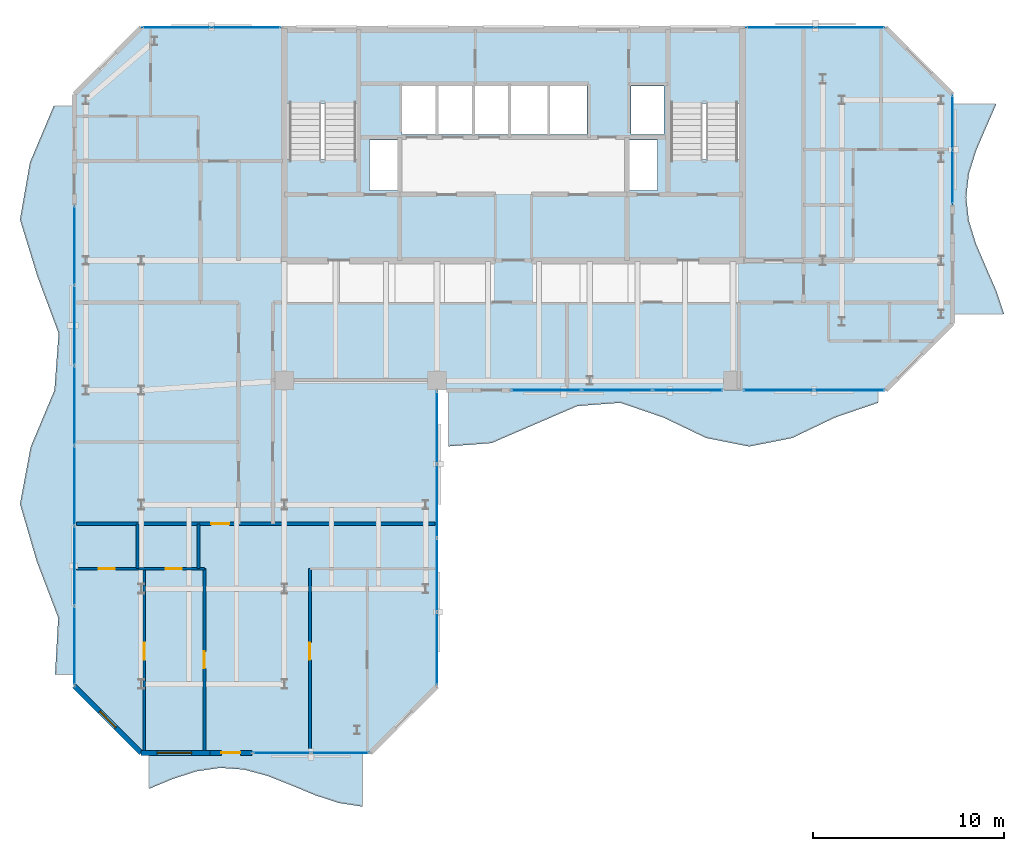
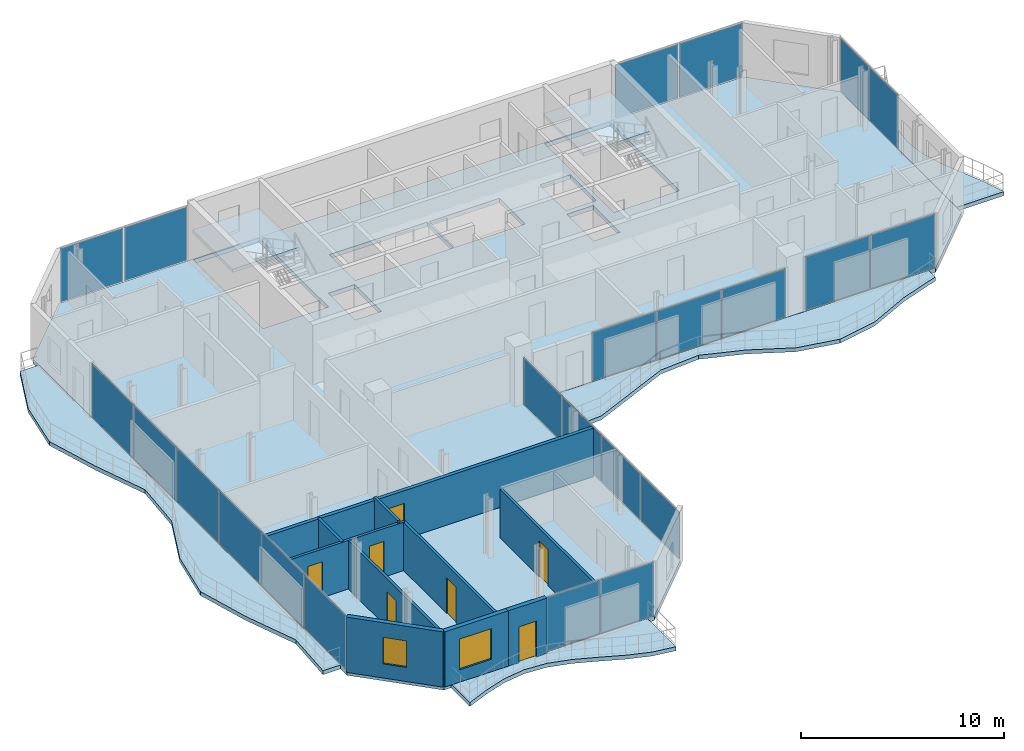
# One storey, part 17 of 23: 23 plates, 10 walls, 7 doors, 7 slabs, 2 windows, 9 openings, 10 elements without a shape of their own.
"""IFC4 building model written with IfcOpenShell, lengths in metres."""

from ifc_helpers import new_model, si_unit, direction, frame, frame_2d, origin, origin_2d, place, context, subcontext, project, spatial, polyline, rectangle, outline, extrude, material, layer, layer_set, type_object, element, fill, aggregate, save


model = new_model("IFC4")

# Units and contexts
model_context = context("Model", 3, precision=1e-05, world=origin(), true_north=direction((0.0, 1.0)))
body_context = subcontext(model_context, "Body", "Model", "MODEL_VIEW")
ifc_project = project(units=[si_unit("LENGTHUNIT", "METRE"), si_unit("AREAUNIT", "SQUARE_METRE"), si_unit("VOLUMEUNIT", "CUBIC_METRE"), si_unit("PLANEANGLEUNIT", "RADIAN"), si_unit("MASSUNIT", "GRAM", prefix="KILO")], contexts=[model_context])

# Site, building, storey
site_placement = place(None, origin())
site = spatial("IfcSite", under=ifc_project, at=site_placement, CompositionType="ELEMENT")
building_placement = place(site_placement, origin())
building = spatial("IfcBuilding", under=site, at=building_placement, Name="Catumbela Crestline Tower", CompositionType="ELEMENT")
storey_placement = place(building_placement, frame((0.0, 0.0, 197.4)))
storey = spatial("IfcBuildingStorey", under=building, at=storey_placement, Name="L51", CompositionType="ELEMENT", Elevation=197.4)

# Curtain wall, plates
ifc_material_1 = material(Name="Aluminium alloy AW-6060-T66", Category="aluminium")
ifc_layer_1 = layer(ifc_material_1, 0.18, Name="Aluminium alloy AW-6060-T66")
ifc_layer_set_1 = layer_set([ifc_layer_1], Name="Aluminium alloy AW-6060-T66")
curtain_wall_type = type_object("IfcCurtainWallType", Name="CWU-Z3", PredefinedType="USERDEFINED", material=ifc_layer_set_1)
curtain_wall_1_placement = place(storey_placement, origin())
curtain_wall_1 = element("IfcCurtainWall", 1, at=curtain_wall_1_placement, inside=storey, type_object=curtain_wall_type, Name="L51 Unitised Curtain Wall CW-L51-E0S2", ObjectType="UNITISED", PredefinedType="USERDEFINED")
ifc_material_2 = material(Name="Low-E laminated solar-control double glazing", Category="glass")
ifc_layer_2 = layer(ifc_material_2, 0.036, Name="Low-E laminated solar-control double glazing")
ifc_layer_set_2 = layer_set([ifc_layer_2], Name="Low-E laminated solar-control double glazing")
plate_type = type_object("IfcPlateType", Name="PNL-GLZ-Z3", PredefinedType="CURTAIN_PANEL", material=ifc_layer_set_2)
plate_1_placement = place(storey_placement, frame((15.8662, 5.0, 0.06), z_axis=(0.0, 0.0, 1.0), x_axis=(1.0, 0.0, 0.0)))
plate_1 = element("IfcPlate", 2, at=plate_1_placement, type_object=plate_type, Name="CWU-Z3 panel 1.1", PredefinedType="CURTAIN_PANEL", context=body_context, shape_type="SweptSolid", body=[
    extrude(rectangle(XDim=3.0025, YDim=0.034, at=origin_2d()), origin(), (0.0, 0.0, 1.0), 3.21),
])
plate_2_placement = place(storey_placement, frame((18.9338, 5.0, 0.06), z_axis=(0.0, 0.0, 1.0), x_axis=(1.0, 0.0, 0.0)))
plate_2 = element("IfcPlate", 3, at=plate_2_placement, type_object=plate_type, Name="CWU-Z3 panel 2.1", PredefinedType="CURTAIN_PANEL", context=body_context, shape_type="SweptSolid", body=[
    extrude(rectangle(XDim=3.0025, YDim=0.034, at=origin_2d()), origin(), (0.0, 0.0, 1.0), 3.21),
])
aggregate(curtain_wall_1, [plate_1, plate_2])

curtain_wall_2_placement = place(storey_placement, origin())
curtain_wall_2 = element("IfcCurtainWall", 4, at=curtain_wall_2_placement, inside=storey, type_object=curtain_wall_type, Name="L51 Unitised Curtain Wall CW-L51-E2S1", ObjectType="UNITISED", PredefinedType="USERDEFINED")
plate_3_placement = place(storey_placement, frame((24.0, 10.4538, 0.06), z_axis=(0.0, 0.0, 1.0), x_axis=(0.0, 1.0, 0.0)))
plate_3 = element("IfcPlate", 5, at=plate_3_placement, type_object=plate_type, Name="CWU-Z3 panel 1.1", PredefinedType="CURTAIN_PANEL", context=body_context, shape_type="SweptSolid", body=[
    extrude(rectangle(XDim=3.7775, YDim=0.034, at=origin_2d()), origin(), (0.0, 0.0, 1.0), 2.8),
])
plate_4_placement = place(storey_placement, frame((24.0, 14.3125, 0.06), z_axis=(0.0, 0.0, 1.0), x_axis=(0.0, 1.0, 0.0)))
plate_4 = element("IfcPlate", 6, at=plate_4_placement, type_object=plate_type, Name="CWU-Z3 panel 2.1", PredefinedType="CURTAIN_PANEL", context=body_context, shape_type="SweptSolid", body=[
    extrude(rectangle(XDim=3.81, YDim=0.034, at=origin_2d()), origin(), (0.0, 0.0, 1.0), 2.8),
])
plate_5_placement = place(storey_placement, frame((24.0, 18.1875, 0.06), z_axis=(0.0, 0.0, 1.0), x_axis=(0.0, 1.0, 0.0)))
plate_5 = element("IfcPlate", 7, at=plate_5_placement, type_object=plate_type, Name="CWU-Z3 panel 3.1", PredefinedType="CURTAIN_PANEL", context=body_context, shape_type="SweptSolid", body=[
    extrude(rectangle(XDim=3.81, YDim=0.034, at=origin_2d()), origin(), (0.0, 0.0, 1.0), 2.8),
])
plate_6_placement = place(storey_placement, frame((24.0, 22.0462, 0.06), z_axis=(0.0, 0.0, 1.0), x_axis=(0.0, 1.0, 0.0)))
plate_6 = element("IfcPlate", 8, at=plate_6_placement, type_object=plate_type, Name="CWU-Z3 panel 4.1", PredefinedType="CURTAIN_PANEL", context=body_context, shape_type="SweptSolid", body=[
    extrude(rectangle(XDim=3.7775, YDim=0.034, at=origin_2d()), origin(), (0.0, 0.0, 1.0), 2.8),
])
aggregate(curtain_wall_2, [plate_3, plate_4, plate_5, plate_6])

curtain_wall_3_placement = place(storey_placement, origin())
curtain_wall_3 = element("IfcCurtainWall", 9, at=curtain_wall_3_placement, inside=storey, type_object=curtain_wall_type, Name="L51 Unitised Curtain Wall CW-L51-E3S2", ObjectType="UNITISED", PredefinedType="USERDEFINED")
plate_7_placement = place(storey_placement, frame((29.7246, 24.0, 0.06), z_axis=(0.0, 0.0, 1.0), x_axis=(1.0, 0.0, 0.0)))
plate_7 = element("IfcPlate", 10, at=plate_7_placement, type_object=plate_type, Name="CWU-Z3 panel 1.1", PredefinedType="CURTAIN_PANEL", context=body_context, shape_type="SweptSolid", body=[
    extrude(rectangle(XDim=3.6192, YDim=0.034, at=origin_2d()), origin(), (0.0, 0.0, 1.0), 2.9),
])
plate_8_placement = place(storey_placement, frame((33.425, 24.0, 0.06), z_axis=(0.0, 0.0, 1.0), x_axis=(1.0, 0.0, 0.0)))
plate_8 = element("IfcPlate", 11, at=plate_8_placement, type_object=plate_type, Name="CWU-Z3 panel 2.1", PredefinedType="CURTAIN_PANEL", context=body_context, shape_type="SweptSolid", body=[
    extrude(rectangle(XDim=3.6517, YDim=0.034, at=origin_2d()), origin(), (0.0, 0.0, 1.0), 2.9),
])
plate_9_placement = place(storey_placement, frame((37.1254, 24.0, 0.06), z_axis=(0.0, 0.0, 1.0), x_axis=(1.0, 0.0, 0.0)))
plate_9 = element("IfcPlate", 12, at=plate_9_placement, type_object=plate_type, Name="CWU-Z3 panel 3.1", PredefinedType="CURTAIN_PANEL", context=body_context, shape_type="SweptSolid", body=[
    extrude(rectangle(XDim=3.6192, YDim=0.034, at=origin_2d()), origin(), (0.0, 0.0, 1.0), 2.9),
])
aggregate(curtain_wall_3, [plate_7, plate_8, plate_9])

curtain_wall_4_placement = place(storey_placement, origin())
curtain_wall_4 = element("IfcCurtainWall", 13, at=curtain_wall_4_placement, inside=storey, type_object=curtain_wall_type, Name="L51 Unitised Curtain Wall CW-L51-E3S3", ObjectType="UNITISED", PredefinedType="USERDEFINED")
plate_10_placement = place(storey_placement, frame((41.8912, 24.0, 0.06), z_axis=(0.0, 0.0, 1.0), x_axis=(1.0, 0.0, 0.0)))
plate_10 = element("IfcPlate", 14, at=plate_10_placement, type_object=plate_type, Name="CWU-Z3 panel 1.1", PredefinedType="CURTAIN_PANEL", context=body_context, shape_type="SweptSolid", body=[
    extrude(rectangle(XDim=3.6525, YDim=0.034, at=origin_2d()), origin(), (0.0, 0.0, 1.0), 3.21),
])
plate_11_placement = place(storey_placement, frame((45.6088, 24.0, 0.06), z_axis=(0.0, 0.0, 1.0), x_axis=(1.0, 0.0, 0.0)))
plate_11 = element("IfcPlate", 15, at=plate_11_placement, type_object=plate_type, Name="CWU-Z3 panel 2.1", PredefinedType="CURTAIN_PANEL", context=body_context, shape_type="SweptSolid", body=[
    extrude(rectangle(XDim=3.6525, YDim=0.034, at=origin_2d()), origin(), (0.0, 0.0, 1.0), 3.21),
])
aggregate(curtain_wall_4, [plate_10, plate_11])

curtain_wall_5_placement = place(storey_placement, origin())
curtain_wall_5 = element("IfcCurtainWall", 16, at=curtain_wall_5_placement, inside=storey, type_object=curtain_wall_type, Name="L51 Unitised Curtain Wall CW-L51-E5S2", ObjectType="UNITISED", PredefinedType="USERDEFINED")
plate_12_placement = place(storey_placement, frame((51.0, 35.1662, 0.06), z_axis=(0.0, 0.0, 1.0), x_axis=(0.0, 1.0, 0.0)))
plate_12 = element("IfcPlate", 17, at=plate_12_placement, type_object=plate_type, Name="CWU-Z3 panel 1.1", PredefinedType="CURTAIN_PANEL", context=body_context, shape_type="SweptSolid", body=[
    extrude(rectangle(XDim=2.8025, YDim=0.034, at=origin_2d()), origin(), (0.0, 0.0, 1.0), 3.21),
])
plate_13_placement = place(storey_placement, frame((51.0, 38.0338, 0.06), z_axis=(0.0, 0.0, 1.0), x_axis=(0.0, 1.0, 0.0)))
plate_13 = element("IfcPlate", 18, at=plate_13_placement, type_object=plate_type, Name="CWU-Z3 panel 2.1", PredefinedType="CURTAIN_PANEL", context=body_context, shape_type="SweptSolid", body=[
    extrude(rectangle(XDim=2.8025, YDim=0.034, at=origin_2d()), origin(), (0.0, 0.0, 1.0), 3.21),
])
aggregate(curtain_wall_5, [plate_12, plate_13])

curtain_wall_6_placement = place(storey_placement, origin())
curtain_wall_6 = element("IfcCurtainWall", 19, at=curtain_wall_6_placement, inside=storey, type_object=curtain_wall_type, Name="L51 Unitised Curtain Wall CW-L51-E7S1", ObjectType="UNITISED", PredefinedType="USERDEFINED")
plate_14_placement = place(storey_placement, frame((45.6438, 43.0, 0.06), z_axis=(0.0, 0.0, 1.0), x_axis=(-1.0, 0.0, 0.0)))
plate_14 = element("IfcPlate", 20, at=plate_14_placement, type_object=plate_type, Name="CWU-Z3 panel 1.1", PredefinedType="CURTAIN_PANEL", context=body_context, shape_type="SweptSolid", body=[
    extrude(rectangle(XDim=3.5825, YDim=0.034, at=origin_2d()), origin(), (0.0, 0.0, 1.0), 3.21),
])
plate_15_placement = place(storey_placement, frame((41.9963, 43.0, 0.06), z_axis=(0.0, 0.0, 1.0), x_axis=(-1.0, 0.0, 0.0)))
plate_15 = element("IfcPlate", 21, at=plate_15_placement, type_object=plate_type, Name="CWU-Z3 panel 2.1", PredefinedType="CURTAIN_PANEL", context=body_context, shape_type="SweptSolid", body=[
    extrude(rectangle(XDim=3.5825, YDim=0.034, at=origin_2d()), origin(), (0.0, 0.0, 1.0), 3.21),
])
aggregate(curtain_wall_6, [plate_14, plate_15])

curtain_wall_7_placement = place(storey_placement, origin())
curtain_wall_7 = element("IfcCurtainWall", 22, at=curtain_wall_7_placement, inside=storey, type_object=curtain_wall_type, Name="L51 Unitised Curtain Wall CW-L51-E7S2", ObjectType="UNITISED", PredefinedType="USERDEFINED")
plate_16_placement = place(storey_placement, frame((14.0038, 43.0, 0.06), z_axis=(0.0, 0.0, 1.0), x_axis=(-1.0, 0.0, 0.0)))
plate_16 = element("IfcPlate", 23, at=plate_16_placement, type_object=plate_type, Name="CWU-Z3 panel 1.1", PredefinedType="CURTAIN_PANEL", context=body_context, shape_type="SweptSolid", body=[
    extrude(rectangle(XDim=3.5825, YDim=0.034, at=origin_2d()), origin(), (0.0, 0.0, 1.0), 3.21),
])
plate_17_placement = place(storey_placement, frame((10.3562, 43.0, 0.06), z_axis=(0.0, 0.0, 1.0), x_axis=(-1.0, 0.0, 0.0)))
plate_17 = element("IfcPlate", 24, at=plate_17_placement, type_object=plate_type, Name="CWU-Z3 panel 2.1", PredefinedType="CURTAIN_PANEL", context=body_context, shape_type="SweptSolid", body=[
    extrude(rectangle(XDim=3.5825, YDim=0.034, at=origin_2d()), origin(), (0.0, 0.0, 1.0), 3.21),
])
aggregate(curtain_wall_7, [plate_16, plate_17])

curtain_wall_8_placement = place(storey_placement, origin())
curtain_wall_8 = element("IfcCurtainWall", 25, at=curtain_wall_8_placement, inside=storey, type_object=curtain_wall_type, Name="L51 Unitised Curtain Wall CW-L51-E9S2", ObjectType="UNITISED", PredefinedType="USERDEFINED")
plate_18_placement = place(storey_placement, frame((5.0, 31.5838, 0.06), z_axis=(0.0, 0.0, 1.0), x_axis=(0.0, -1.0, 0.0)))
plate_18 = element("IfcPlate", 26, at=plate_18_placement, type_object=plate_type, Name="CWU-Z3 panel 1.1", PredefinedType="CURTAIN_PANEL", context=body_context, shape_type="SweptSolid", body=[
    extrude(rectangle(XDim=4.1025, YDim=0.034, at=origin_2d()), origin(), (0.0, 0.0, 1.0), 3.21),
])
plate_19_placement = place(storey_placement, frame((5.0, 27.4, 0.06), z_axis=(0.0, 0.0, 1.0), x_axis=(0.0, -1.0, 0.0)))
plate_19 = element("IfcPlate", 27, at=plate_19_placement, type_object=plate_type, Name="CWU-Z3 panel 2.1", PredefinedType="CURTAIN_PANEL", context=body_context, shape_type="SweptSolid", body=[
    extrude(rectangle(XDim=4.135, YDim=0.034, at=origin_2d()), origin(), (0.0, 0.0, 1.0), 3.21),
])
plate_20_placement = place(storey_placement, frame((5.0, 23.2, 0.06), z_axis=(0.0, 0.0, 1.0), x_axis=(0.0, -1.0, 0.0)))
plate_20 = element("IfcPlate", 28, at=plate_20_placement, type_object=plate_type, Name="CWU-Z3 panel 3.1", PredefinedType="CURTAIN_PANEL", context=body_context, shape_type="SweptSolid", body=[
    extrude(rectangle(XDim=4.135, YDim=0.034, at=origin_2d()), origin(), (0.0, 0.0, 1.0), 3.21),
])
plate_21_placement = place(storey_placement, frame((5.0, 19.0, 0.06), z_axis=(0.0, 0.0, 1.0), x_axis=(0.0, -1.0, 0.0)))
plate_21 = element("IfcPlate", 29, at=plate_21_placement, type_object=plate_type, Name="CWU-Z3 panel 4.1", PredefinedType="CURTAIN_PANEL", context=body_context, shape_type="SweptSolid", body=[
    extrude(rectangle(XDim=4.135, YDim=0.034, at=origin_2d()), origin(), (0.0, 0.0, 1.0), 3.21),
])
plate_22_placement = place(storey_placement, frame((5.0, 14.8, 0.06), z_axis=(0.0, 0.0, 1.0), x_axis=(0.0, -1.0, 0.0)))
plate_22 = element("IfcPlate", 30, at=plate_22_placement, type_object=plate_type, Name="CWU-Z3 panel 5.1", PredefinedType="CURTAIN_PANEL", context=body_context, shape_type="SweptSolid", body=[
    extrude(rectangle(XDim=4.135, YDim=0.034, at=origin_2d()), origin(), (0.0, 0.0, 1.0), 3.21),
])
plate_23_placement = place(storey_placement, frame((5.0, 10.6163, 0.06), z_axis=(0.0, 0.0, 1.0), x_axis=(0.0, -1.0, 0.0)))
plate_23 = element("IfcPlate", 31, at=plate_23_placement, type_object=plate_type, Name="CWU-Z3 panel 6.1", PredefinedType="CURTAIN_PANEL", context=body_context, shape_type="SweptSolid", body=[
    extrude(rectangle(XDim=4.1025, YDim=0.034, at=origin_2d()), origin(), (0.0, 0.0, 1.0), 3.21),
])
aggregate(curtain_wall_8, [plate_18, plate_19, plate_20, plate_21, plate_22, plate_23])

# Stair, slab
ifc_material_3 = material(Name="Concrete C45/55", Category="concrete")
stair_type = type_object("IfcStairType", Name="ST-DLG", PredefinedType="HALF_TURN_STAIR", material=ifc_material_3)
stair_1_placement = place(storey_placement, origin())
stair_1 = element("IfcStair", 32, at=stair_1_placement, inside=storey, type_object=stair_type, Name="L51 West Core Pressurised Exit Stair ST-01", PredefinedType="HALF_TURN_STAIR")
ifc_layer_3 = layer(ifc_material_3, 0.2, Name="Concrete C45/55")
ifc_layer_set_3 = layer_set([ifc_layer_3], Name="Concrete C45/55")
slab_type_1 = type_object("IfcSlabType", Name="SL-LND", PredefinedType="LANDING", material=ifc_layer_set_3)
slab_1_placement = place(storey_placement, frame((0.0, 0.0, 1.6)))
slab_1 = element("IfcSlab", 33, at=slab_1_placement, type_object=slab_type_1, Name="ST-01 landing 1", PredefinedType="LANDING", context=body_context, shape_type="SweptSolid", body=[
    extrude(outline(polyline([(19.91, 39.02), (19.91, 42.96), (16.09, 42.96), (16.09, 39.02), (19.91, 39.02)])), origin(), (0.0, 0.0, 1.0), 0.2),
])
aggregate(stair_1, [slab_1])

stair_2_placement = place(storey_placement, origin())
stair_2 = element("IfcStair", 34, at=stair_2_placement, inside=storey, type_object=stair_type, Name="L51 East Core Pressurised Exit Stair ST-02", PredefinedType="HALF_TURN_STAIR")
slab_2_placement = place(storey_placement, frame((0.0, 0.0, 1.6)))
slab_2 = element("IfcSlab", 35, at=slab_2_placement, type_object=slab_type_1, Name="ST-02 landing 1", PredefinedType="LANDING", context=body_context, shape_type="SweptSolid", body=[
    extrude(outline(polyline([(39.91, 39.02), (39.91, 42.96), (36.09, 42.96), (36.09, 39.02), (39.91, 39.02)])), origin(), (0.0, 0.0, 1.0), 0.2),
])
aggregate(stair_2, [slab_2])

# Slabs
ifc_layer_4 = layer(ifc_material_3, 0.26, Name="Concrete C45/55")
ifc_layer_set_4 = layer_set([ifc_layer_4], Name="Concrete C45/55")
slab_type_2 = type_object("IfcSlabType", Name="SL-260", PredefinedType="FLOOR", material=ifc_layer_set_4)
slab_3_placement = place(storey_placement, frame((0.0, 0.0, -0.26)))
element("IfcSlab", 36, at=slab_3_placement, inside=storey, type_object=slab_type_2, Name="L51 Structural Floor Slab", PredefinedType="FLOOR", context=body_context, shape_type="SweptSolid", body=[
    extrude(outline(polyline([(8.5, 5.0), (20.5, 5.0), (24.0, 8.5), (24.0, 24.0), (47.5, 24.0), (51.0, 27.5), (51.0, 39.5), (47.5, 43.0), (8.5, 43.0), (5.0, 39.5), (5.0, 8.5), (8.5, 5.0)]), holes=[polyline([(16.13, 36.08), (19.87, 36.08), (19.87, 42.92), (16.13, 42.92), (16.13, 36.08)]), polyline([(36.13, 36.08), (39.87, 36.08), (39.87, 42.92), (36.13, 42.92), (36.13, 36.08)]), polyline([(22.15, 37.4), (27.75, 37.4), (27.75, 39.95), (22.15, 39.95), (22.15, 37.4)]), polyline([(27.85, 37.4), (31.85, 37.4), (31.85, 39.95), (27.85, 39.95), (27.85, 37.4)]), polyline([(20.45, 34.45), (21.95, 34.45), (21.95, 37.1), (20.45, 37.1), (20.45, 34.45)]), polyline([(34.05, 34.45), (35.55, 34.45), (35.55, 37.1), (34.05, 37.1), (34.05, 34.45)]), polyline([(34.15, 37.4), (35.9, 37.4), (35.9, 39.95), (34.15, 39.95), (34.15, 37.4)])]), origin(), (0.0, 0.0, 1.0), 0.26),
])
ifc_layer_5 = layer(ifc_material_3, 0.24, Name="Concrete C45/55")
ifc_layer_set_5 = layer_set([ifc_layer_5], Name="Concrete C45/55")
slab_type_3 = type_object("IfcSlabType", Name="SB-240W", PredefinedType="USERDEFINED", material=ifc_layer_set_5)
slab_4_placement = place(storey_placement, frame((0.0, 0.0, -0.24)))
element("IfcSlab", 37, at=slab_4_placement, inside=storey, type_object=slab_type_3, Name="L51 Cantilevered Wave Balcony Slab SPINE-S", ObjectType="BALCONY", PredefinedType="USERDEFINED", context=body_context, shape_type="SweptSolid", body=[
    extrude(outline(polyline([(24.6, 21.0587), (26.85, 21.2292), (29.1, 22.2), (31.35, 23.1708), (33.6, 23.3413), (35.85, 22.5708), (38.1, 21.4947), (40.35, 21.05), (42.6, 21.4947), (44.85, 22.5708), (47.1, 23.3413), (47.1, 23.99), (24.6, 23.99), (24.6, 21.0587)])), origin(), (0.0, 0.0, 1.0), 0.24),
])
slab_5_placement = place(storey_placement, frame((0.0, 0.0, -0.24)))
element("IfcSlab", 38, at=slab_5_placement, inside=storey, type_object=slab_type_3, Name="L51 Cantilevered Wave Balcony Slab SPINE-E", ObjectType="BALCONY", PredefinedType="USERDEFINED", context=body_context, shape_type="SweptSolid", body=[
    extrude(outline(polyline([(51.01, 28.0), (53.6999, 28.0), (53.292, 29.2222), (52.7579, 30.4444), (52.2346, 31.6667), (51.8563, 32.8889), (51.72, 34.1111), (51.8606, 35.3333), (52.2421, 36.5556), (52.7667, 37.7778), (53.2998, 39.0), (51.01, 39.0), (51.01, 28.0)])), origin(), (0.0, 0.0, 1.0), 0.24),
])
slab_6_placement = place(storey_placement, frame((0.0, 0.0, -0.24)))
element("IfcSlab", 39, at=slab_6_placement, inside=storey, type_object=slab_type_3, Name="L51 Cantilevered Wave Balcony Slab WING-S", ObjectType="BALCONY", PredefinedType="USERDEFINED", context=body_context, shape_type="SweptSolid", body=[
    extrude(outline(polyline([(8.9, 3.1134), (10.1444, 3.6311), (11.3889, 4.0342), (12.6333, 4.2157), (13.8778, 4.1274), (15.1222, 3.7928), (16.3667, 3.3007), (17.6111, 2.7819), (18.8556, 2.3741), (20.1, 2.1857), (20.1, 4.99), (8.9, 4.99), (8.9, 3.1134)])), origin(), (0.0, 0.0, 1.0), 0.24),
])
slab_7_placement = place(storey_placement, frame((0.0, 0.0, -0.24)))
element("IfcSlab", 40, at=slab_7_placement, inside=storey, type_object=slab_type_3, Name="L51 Cantilevered Wave Balcony Slab WEST", ObjectType="BALCONY", PredefinedType="USERDEFINED", context=body_context, shape_type="SweptSolid", body=[
    extrude(outline(polyline([(4.99, 38.9), (3.9212, 38.9), (2.6662, 35.92), (2.15, 32.94), (3.062, 29.96), (4.1722, 26.98), (3.9543, 24.0), (2.706, 21.02), (2.15, 18.04), (3.0173, 15.06), (4.1516, 12.08), (3.986, 9.1), (4.99, 9.1), (4.99, 38.9)])), origin(), (0.0, 0.0, 1.0), 0.24),
])

# Wall, opening, door
ifc_material_4 = material(Name="Angolan grey-ochre granite", Category="masonry")
ifc_layer_6 = layer(ifc_material_4, 0.25, Name="Angolan grey-ochre granite")
ifc_layer_set_6 = layer_set([ifc_layer_6], Name="Angolan grey-ochre granite")
wall_type_1 = type_object("IfcWallType", Name="WE-250", PredefinedType="STANDARD", material=ifc_layer_set_6)
wall_1_placement = place(storey_placement, frame((12.1, 5.0, 0.0), z_axis=(0.0, 0.0, 1.0), x_axis=(1.0, 0.0, 0.0)))
wall_1 = element("IfcWall", 41, at=wall_1_placement, inside=storey, type_object=wall_type_1, Name="L51 Exterior Threshold Portal Wall DR-L51-WBAL-3", PredefinedType="STANDARD", context=body_context, shape_type="SweptSolid", body=[
    extrude(rectangle(XDim=2.2, YDim=0.25, at=frame_2d((1.1, 0.0))), origin(), (0.0, 0.0, 1.0), 3.33),
])
opening_1_placement = place(wall_1_placement, frame((0.6, 0.0, 0.0)))
opening_1 = element("IfcOpeningElement", 42, at=opening_1_placement, cuts=wall_1, Name="Opening DB-L51-3", PredefinedType="OPENING", context=body_context, shape_type="SweptSolid", body=[
    extrude(rectangle(XDim=1.0, YDim=2.15, at=frame_2d((0.5, 1.075))), frame((0.0, 0.135, 0.0), z_axis=(0.0, -1.0, 0.0), x_axis=(1.0, 0.0, 0.0)), (0.0, 0.0, 1.0), 0.27),
])
door_type_1 = type_object("IfcDoorType", Name="DB-1000", OperationType="NOTDEFINED", PredefinedType="DOOR", material=ifc_material_1)
door_1_placement = place(opening_1_placement, origin())
door_1 = element("IfcDoor", 43, at=door_1_placement, inside=storey, type_object=door_type_1, Name="L51 Wave Balcony Terrace Door 3", OperationType="SINGLE_SWING_LEFT", OverallHeight=2.15, OverallWidth=1.0, PredefinedType="DOOR", context=body_context, shape_type="SweptSolid", body=[
    extrude(rectangle(XDim=1.0, YDim=2.15, at=frame_2d((0.5, 1.075))), frame((0.0, 0.025, 0.0), z_axis=(0.0, -1.0, 0.0), x_axis=(1.0, 0.0, 0.0)), (0.0, 0.0, 1.0), 0.05),
])
fill(opening_1, door_1)

# Wall, opening, window
wall_2_placement = place(storey_placement, frame((8.5, 5.0, 0.0), z_axis=(0.0, 0.0, 1.0), x_axis=(1.0, 0.0, 0.0)))
wall_2 = element("IfcWall", 44, at=wall_2_placement, inside=storey, type_object=wall_type_1, Name="L51 Granite Punched Window Wall 0-1", PredefinedType="STANDARD", context=body_context, shape_type="SweptSolid", body=[
    extrude(rectangle(XDim=3.6, YDim=0.25, at=frame_2d((1.8, 0.0))), origin(), (0.0, 0.0, 1.0), 3.33),
])
opening_2_placement = place(wall_2_placement, frame((0.835, 0.0, 0.75)))
opening_2 = element("IfcOpeningElement", 45, at=opening_2_placement, cuts=wall_2, Name="Opening WN-01", PredefinedType="OPENING", context=body_context, shape_type="SweptSolid", body=[
    extrude(rectangle(XDim=1.8, YDim=1.85, at=frame_2d((0.9, 0.925))), frame((0.0, 0.135, 0.0), z_axis=(0.0, -1.0, 0.0), x_axis=(1.0, 0.0, 0.0)), (0.0, 0.0, 1.0), 0.27),
])
window_type_1 = type_object("IfcWindowType", Name="WF-1800", PartitioningType="SINGLE_PANEL", PredefinedType="WINDOW", material=ifc_material_2)
window_1_placement = place(opening_2_placement, origin())
window_1 = element("IfcWindow", 46, at=window_1_placement, inside=storey, type_object=window_type_1, Name="L51 Facade Vision Window 337", OverallHeight=1.85, OverallWidth=1.8, PartitioningType="SINGLE_PANEL", PredefinedType="WINDOW", context=body_context, shape_type="SweptSolid", body=[
    extrude(rectangle(XDim=1.8, YDim=1.85, at=frame_2d((0.9, 0.925))), frame((0.0, 0.03, 0.0), z_axis=(0.0, -1.0, 0.0), x_axis=(1.0, 0.0, 0.0)), (0.0, 0.0, 1.0), 0.06),
])
fill(opening_2, window_1)

wall_3_placement = place(storey_placement, frame((5.0, 8.5, 0.0), z_axis=(0.0, 0.0, 1.0), x_axis=(0.707106781187, -0.707106781187, 0.0)))
wall_3 = element("IfcWall", 47, at=wall_3_placement, inside=storey, type_object=wall_type_1, Name="L51 Granite Punched Window Wall 10-1", PredefinedType="STANDARD", context=body_context, shape_type="SweptSolid", body=[
    extrude(rectangle(XDim=4.9497, YDim=0.25, at=frame_2d((2.4748, 0.0))), origin(), (0.0, 0.0, 1.0), 3.33),
])
opening_3_placement = place(wall_3_placement, frame((1.8748, 0.0, 0.85)))
opening_3 = element("IfcOpeningElement", 48, at=opening_3_placement, cuts=wall_3, Name="Opening WN-02", PredefinedType="OPENING", context=body_context, shape_type="SweptSolid", body=[
    extrude(rectangle(XDim=1.2, YDim=1.6, at=frame_2d((0.6, 0.8))), frame((0.0, 0.135, 0.0), z_axis=(0.0, -1.0, 0.0), x_axis=(1.0, 0.0, 0.0)), (0.0, 0.0, 1.0), 0.27),
])
window_type_2 = type_object("IfcWindowType", Name="WO-1200", PartitioningType="SINGLE_PANEL", PredefinedType="WINDOW", material=ifc_material_2)
window_2_placement = place(opening_3_placement, origin())
window_2 = element("IfcWindow", 49, at=window_2_placement, inside=storey, type_object=window_type_2, Name="L51 Facade Vision Window 344", OverallHeight=1.6, OverallWidth=1.2, PartitioningType="SINGLE_PANEL", PredefinedType="WINDOW", context=body_context, shape_type="SweptSolid", body=[
    extrude(rectangle(XDim=1.2, YDim=1.6, at=frame_2d((0.6, 0.8))), frame((0.0, 0.03, 0.0), z_axis=(0.0, -1.0, 0.0), x_axis=(1.0, 0.0, 0.0)), (0.0, 0.0, 1.0), 0.06),
])
fill(opening_3, window_2)

# Walls
ifc_material_5 = material(Name="Acoustic gypsum and mineral-wool partition")
ifc_layer_7 = layer(ifc_material_5, 0.15, Name="Acoustic gypsum and mineral-wool partition")
ifc_layer_set_7 = layer_set([ifc_layer_7], Name="Acoustic gypsum and mineral-wool partition")
wall_type_2 = type_object("IfcWallType", Name="WP-150", PredefinedType="PARTITIONING", material=ifc_layer_set_7)
wall_4_placement = place(storey_placement, frame((11.5, 14.65, 0.0), z_axis=(0.0, 0.0, 1.0), x_axis=(0.0, 1.0, 0.0)))
element("IfcWall", 50, at=wall_4_placement, inside=storey, type_object=wall_type_2, Name="L51 Interior Partition PW-L51-SH1-KBE", PredefinedType="PARTITIONING", context=body_context, shape_type="SweptSolid", body=[
    extrude(rectangle(XDim=2.35, YDim=0.15, at=frame_2d((1.175, 0.0))), origin(), (0.0, 0.0, 1.0), 3.07),
])
wall_5_placement = place(storey_placement, frame((8.3, 14.65, 0.0), z_axis=(0.0, 0.0, 1.0), x_axis=(0.0, 1.0, 0.0)))
element("IfcWall", 51, at=wall_5_placement, inside=storey, type_object=wall_type_2, Name="L51 Interior Partition PW-L51-SH1-KBM", PredefinedType="PARTITIONING", context=body_context, shape_type="SweptSolid", body=[
    extrude(rectangle(XDim=2.35, YDim=0.15, at=frame_2d((1.175, 0.0))), origin(), (0.0, 0.0, 1.0), 2.92),
])

# Wall, openings, doors
wall_6_placement = place(storey_placement, frame((5.1, 14.65, 0.0), z_axis=(0.0, 0.0, 1.0), x_axis=(1.0, 0.0, 0.0)))
wall_6 = element("IfcWall", 52, at=wall_6_placement, inside=storey, type_object=wall_type_2, Name="L51 Interior Partition PW-L51-SH1-KBD1", PredefinedType="PARTITIONING", context=body_context, shape_type="SweptSolid", body=[
    extrude(rectangle(XDim=6.71, YDim=0.15, at=frame_2d((3.355, 0.0))), origin(), (0.0, 0.0, 1.0), 2.92),
])
opening_4_placement = place(wall_6_placement, frame((1.175, 0.0, 0.0)))
opening_4 = element("IfcOpeningElement", 53, at=opening_4_placement, cuts=wall_6, Name="Opening DI-085", PredefinedType="OPENING", context=body_context, shape_type="SweptSolid", body=[
    extrude(rectangle(XDim=0.85, YDim=2.15, at=frame_2d((0.425, 1.075))), frame((0.0, 0.085, 0.0), z_axis=(0.0, -1.0, 0.0), x_axis=(1.0, 0.0, 0.0)), (0.0, 0.0, 1.0), 0.17),
])
opening_5_placement = place(wall_6_placement, frame((4.6795, 0.0, 0.0)))
opening_5 = element("IfcOpeningElement", 54, at=opening_5_placement, cuts=wall_6, Name="Opening DI-085", PredefinedType="OPENING", context=body_context, shape_type="SweptSolid", body=[
    extrude(rectangle(XDim=0.85, YDim=2.15, at=frame_2d((0.425, 1.075))), frame((0.0, 0.085, 0.0), z_axis=(0.0, -1.0, 0.0), x_axis=(1.0, 0.0, 0.0)), (0.0, 0.0, 1.0), 0.17),
])
door_type_2 = type_object("IfcDoorType", Name="DI-085", OperationType="NOTDEFINED", PredefinedType="DOOR", material=ifc_material_1)
door_2_placement = place(opening_4_placement, origin())
door_2 = element("IfcDoor", 55, at=door_2_placement, inside=storey, type_object=door_type_2, Name="L51 Interior Door DR-L51-SH1-KIT", OperationType="SINGLE_SWING_LEFT", OverallHeight=2.15, OverallWidth=0.85, PredefinedType="DOOR", context=body_context, shape_type="SweptSolid", body=[
    extrude(rectangle(XDim=0.85, YDim=2.15, at=frame_2d((0.425, 1.075))), frame((0.0, 0.025, 0.0), z_axis=(0.0, -1.0, 0.0), x_axis=(1.0, 0.0, 0.0)), (0.0, 0.0, 1.0), 0.05),
])
fill(opening_4, door_2)
door_3_placement = place(opening_5_placement, origin())
door_3 = element("IfcDoor", 56, at=door_3_placement, inside=storey, type_object=door_type_2, Name="L51 Interior Door DR-L51-SH1-BTH", OperationType="SINGLE_SWING_RIGHT", OverallHeight=2.15, OverallWidth=0.85, PredefinedType="DOOR", context=body_context, shape_type="SweptSolid", body=[
    extrude(rectangle(XDim=0.85, YDim=2.15, at=frame_2d((0.425, 1.075))), frame((0.0, 0.025, 0.0), z_axis=(0.0, -1.0, 0.0), x_axis=(1.0, 0.0, 0.0)), (0.0, 0.0, 1.0), 0.05),
])
fill(opening_5, door_3)

# Wall, opening, door
wall_7_placement = place(storey_placement, frame((8.66, 5.1, 0.0), z_axis=(0.0, 0.0, 1.0), x_axis=(0.0, 1.0, 0.0)))
wall_7 = element("IfcWall", 57, at=wall_7_placement, inside=storey, type_object=wall_type_2, Name="L51 Interior Partition PW-L51-SH1-BDL", PredefinedType="PARTITIONING", context=body_context, shape_type="SweptSolid", body=[
    extrude(rectangle(XDim=9.55, YDim=0.15, at=frame_2d((4.775, 0.0))), origin(), (0.0, 0.0, 1.0), 2.92),
])
opening_6_placement = place(wall_7_placement, frame((4.7789, 0.0, 0.0)))
opening_6 = element("IfcOpeningElement", 58, at=opening_6_placement, cuts=wall_7, Name="Opening DI-090", PredefinedType="OPENING", context=body_context, shape_type="SweptSolid", body=[
    extrude(rectangle(XDim=0.9, YDim=2.15, at=frame_2d((0.45, 1.075))), frame((0.0, 0.085, 0.0), z_axis=(0.0, -1.0, 0.0), x_axis=(1.0, 0.0, 0.0)), (0.0, 0.0, 1.0), 0.17),
])
door_type_3 = type_object("IfcDoorType", Name="DI-090", OperationType="NOTDEFINED", PredefinedType="DOOR", material=ifc_material_1)
door_4_placement = place(opening_6_placement, origin())
door_4 = element("IfcDoor", 59, at=door_4_placement, inside=storey, type_object=door_type_3, Name="L51 Interior Door DR-L51-SH1-BD1", OperationType="SINGLE_SWING_LEFT", OverallHeight=2.15, OverallWidth=0.9, PredefinedType="DOOR", context=body_context, shape_type="SweptSolid", body=[
    extrude(rectangle(XDim=0.9, YDim=2.15, at=frame_2d((0.45, 1.075))), frame((0.0, 0.025, 0.0), z_axis=(0.0, -1.0, 0.0), x_axis=(1.0, 0.0, 0.0)), (0.0, 0.0, 1.0), 0.05),
])
fill(opening_6, door_4)

wall_8_placement = place(storey_placement, frame((17.34, 5.1, 0.0), z_axis=(0.0, 0.0, 1.0), x_axis=(0.0, 1.0, 0.0)))
wall_8 = element("IfcWall", 60, at=wall_8_placement, inside=storey, type_object=wall_type_2, Name="L51 Interior Partition PW-L51-SH1-STW", PredefinedType="PARTITIONING", context=body_context, shape_type="SweptSolid", body=[
    extrude(rectangle(XDim=9.55, YDim=0.15, at=frame_2d((4.775, 0.0))), origin(), (0.0, 0.0, 1.0), 2.92),
])
opening_7_placement = place(wall_8_placement, frame((4.7789, 0.0, 0.0)))
opening_7 = element("IfcOpeningElement", 61, at=opening_7_placement, cuts=wall_8, Name="Opening DI-090", PredefinedType="OPENING", context=body_context, shape_type="SweptSolid", body=[
    extrude(rectangle(XDim=0.9, YDim=2.15, at=frame_2d((0.45, 1.075))), frame((0.0, 0.085, 0.0), z_axis=(0.0, -1.0, 0.0), x_axis=(1.0, 0.0, 0.0)), (0.0, 0.0, 1.0), 0.17),
])
door_5_placement = place(opening_7_placement, origin())
door_5 = element("IfcDoor", 62, at=door_5_placement, inside=storey, type_object=door_type_3, Name="L51 Interior Door DR-L51-SH1-STDY", OperationType="SINGLE_SWING_RIGHT", OverallHeight=2.15, OverallWidth=0.9, PredefinedType="DOOR", context=body_context, shape_type="SweptSolid", body=[
    extrude(rectangle(XDim=0.9, YDim=2.15, at=frame_2d((0.45, 1.075))), frame((0.0, 0.025, 0.0), z_axis=(0.0, -1.0, 0.0), x_axis=(1.0, 0.0, 0.0)), (0.0, 0.0, 1.0), 0.05),
])
fill(opening_7, door_5)

wall_9_placement = place(storey_placement, frame((11.81, 5.1, 0.0), z_axis=(0.0, 0.0, 1.0), x_axis=(0.0, 1.0, 0.0)))
wall_9 = element("IfcWall", 63, at=wall_9_placement, inside=storey, type_object=wall_type_2, Name="L51 Interior Partition PW-L51-SH1-DNW", PredefinedType="PARTITIONING", context=body_context, shape_type="SweptSolid", body=[
    extrude(rectangle(XDim=9.55, YDim=0.15, at=frame_2d((4.775, 0.0))), origin(), (0.0, 0.0, 1.0), 2.92),
])
opening_8_placement = place(wall_9_placement, frame((4.325, 0.0, 0.0)))
opening_8 = element("IfcOpeningElement", 64, at=opening_8_placement, cuts=wall_9, Name="Opening DI-090", PredefinedType="OPENING", context=body_context, shape_type="SweptSolid", body=[
    extrude(rectangle(XDim=0.9, YDim=2.15, at=frame_2d((0.45, 1.075))), frame((0.0, 0.085, 0.0), z_axis=(0.0, -1.0, 0.0), x_axis=(1.0, 0.0, 0.0)), (0.0, 0.0, 1.0), 0.17),
])
door_6_placement = place(opening_8_placement, origin())
door_6 = element("IfcDoor", 65, at=door_6_placement, inside=storey, type_object=door_type_3, Name="L51 Interior Door DR-L51-SH1-FDIN", OperationType="SINGLE_SWING_LEFT", OverallHeight=2.15, OverallWidth=0.9, PredefinedType="DOOR", context=body_context, shape_type="SweptSolid", body=[
    extrude(rectangle(XDim=0.9, YDim=2.15, at=frame_2d((0.45, 1.075))), frame((0.0, 0.025, 0.0), z_axis=(0.0, -1.0, 0.0), x_axis=(1.0, 0.0, 0.0)), (0.0, 0.0, 1.0), 0.05),
])
fill(opening_8, door_6)

ifc_layer_8 = layer(ifc_material_5, 0.2, Name="Acoustic gypsum and mineral-wool partition")
ifc_layer_set_8 = layer_set([ifc_layer_8], Name="Acoustic gypsum and mineral-wool partition")
wall_type_3 = type_object("IfcWallType", Name="WY-200", PredefinedType="PARTITIONING", material=ifc_layer_set_8)
wall_10_placement = place(storey_placement, frame((5.1, 17.0, 0.0), z_axis=(0.0, 0.0, 1.0), x_axis=(1.0, 0.0, 0.0)))
wall_10 = element("IfcWall", 66, at=wall_10_placement, inside=storey, type_object=wall_type_3, Name="L51 Interior Partition PW-L51-SH-WL", PredefinedType="PARTITIONING", context=body_context, shape_type="SweptSolid", body=[
    extrude(rectangle(XDim=18.8, YDim=0.2, at=frame_2d((9.4, 0.0))), origin(), (0.0, 0.0, 1.0), 2.92),
])
opening_9_placement = place(wall_10_placement, frame((7.0658, 0.0, 0.0)))
opening_9 = element("IfcOpeningElement", 67, at=opening_9_placement, cuts=wall_10, Name="Opening DF6-095", PredefinedType="OPENING", context=body_context, shape_type="SweptSolid", body=[
    extrude(rectangle(XDim=0.95, YDim=2.15, at=frame_2d((0.475, 1.075))), frame((0.0, 0.11, 0.0), z_axis=(0.0, -1.0, 0.0), x_axis=(1.0, 0.0, 0.0)), (0.0, 0.0, 1.0), 0.22),
])
door_type_4 = type_object("IfcDoorType", Name="DF6-095", OperationType="NOTDEFINED", PredefinedType="DOOR", material=ifc_material_1)
door_7_placement = place(opening_9_placement, origin())
door_7 = element("IfcDoor", 68, at=door_7_placement, inside=storey, type_object=door_type_4, Name="L51 Interior Door DR-L51-SH1-ENT", OperationType="SINGLE_SWING_LEFT", OverallHeight=2.15, OverallWidth=0.95, PredefinedType="DOOR", context=body_context, shape_type="SweptSolid", body=[
    extrude(rectangle(XDim=0.95, YDim=2.15, at=frame_2d((0.475, 1.075))), frame((0.0, 0.025, 0.0), z_axis=(0.0, -1.0, 0.0), x_axis=(1.0, 0.0, 0.0)), (0.0, 0.0, 1.0), 0.05),
])
fill(opening_9, door_7)

save(model, "model.ifc")
